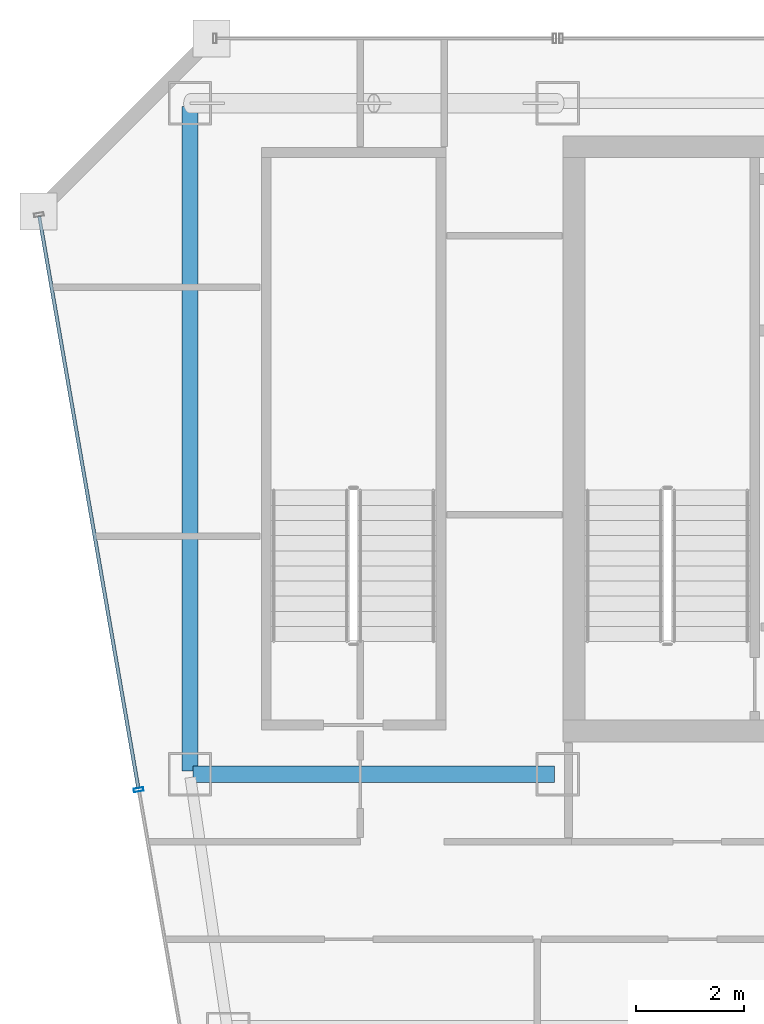
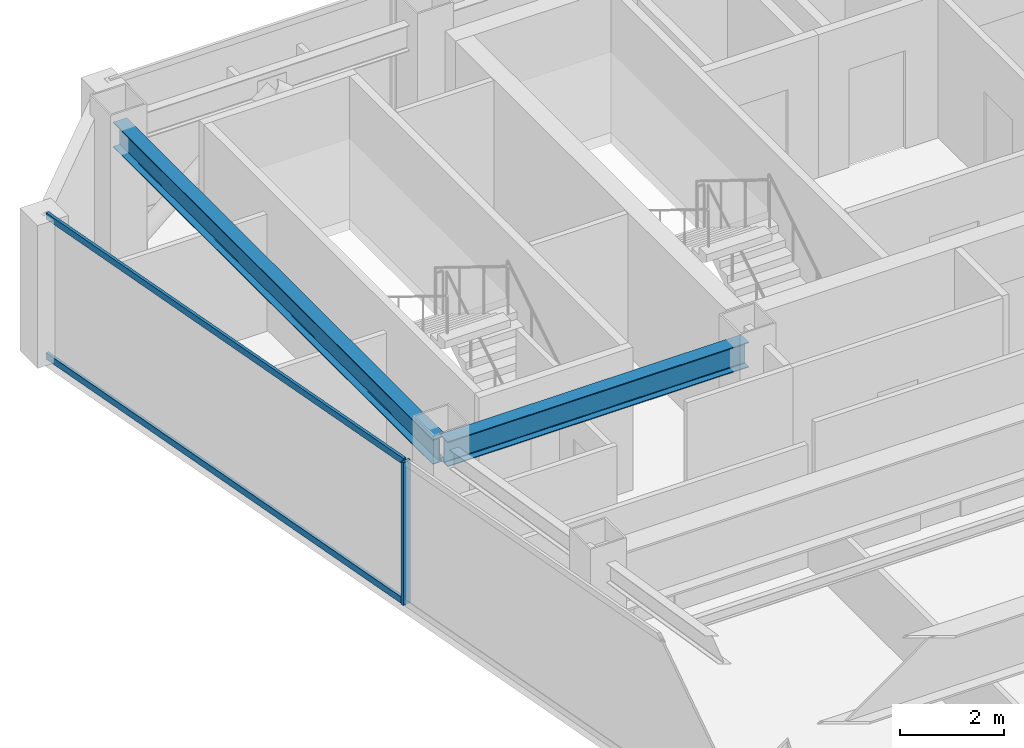
# One storey, part 10 of 35: 3 members, 2 beams, 1 element without a shape of its own.
"""IFC4 building model written with IfcOpenShell, lengths in metres."""

from ifc_helpers import new_model, si_unit, direction, frame, origin, origin_2d, place, context, subcontext, project, spatial, hollow_rectangle, i_section, extrude, material, material_profile, profile_set, type_object, element, aggregate, save


model = new_model("IFC4")

# Units and contexts
model_context = context("Model", 3, precision=1e-05, world=origin(), true_north=direction((0.0, 1.0)))
body_context = subcontext(model_context, "Body", "Model", "MODEL_VIEW")
ifc_project = project(units=[si_unit("LENGTHUNIT", "METRE"), si_unit("AREAUNIT", "SQUARE_METRE"), si_unit("VOLUMEUNIT", "CUBIC_METRE"), si_unit("PLANEANGLEUNIT", "RADIAN"), si_unit("MASSUNIT", "GRAM", prefix="KILO")], contexts=[model_context])

# Site, building, storey
site_placement = place(None, origin())
site = spatial("IfcSite", under=ifc_project, at=site_placement, CompositionType="ELEMENT")
building_placement = place(site_placement, origin())
building = spatial("IfcBuilding", under=site, at=building_placement, Name="Saevonmaru Cultural Tower", CompositionType="ELEMENT")
storey_placement = place(building_placement, frame((0.0, 0.0, 249.60009765625)))
storey = spatial("IfcBuildingStorey", under=building, at=storey_placement, Name="L58", CompositionType="ELEMENT", Elevation=249.60009765625)

# Beams
ifc_material_1 = material(Name="Steel SM355", Category="steel")
ifc_material_profile_1 = material_profile(ifc_material_1, i_section(OverallWidth=0.300048828125, OverallDepth=0.587890625, WebThickness=0.011962890625, FlangeThickness=0.02001953125, FilletRadius=0.02392578125, at=origin_2d()), Name="H-588x300x12x20")
ifc_profile_set_1 = profile_set([ifc_material_profile_1], Name="Steel SM355")
beam_type = type_object("IfcBeamType", Name="BM-G-H588", PredefinedType="BEAM", material=ifc_profile_set_1)
beam_1_placement = place(storey_placement, frame((6.860107421875, 42.39990234375, 3.055908203125), z_axis=(1.0, 0.0, 0.0), x_axis=(0.0, 1.0, 0.0)))
element("IfcBeam", 1, at=beam_1_placement, inside=storey, type_object=beam_type, Name="L58 Core South Girder 1", PredefinedType="BEAM", context=body_context, shape_type="SweptSolid", body=[
    extrude(i_section(OverallWidth=0.300048828125, OverallDepth=0.587890625, WebThickness=0.011962890625, FlangeThickness=0.02001953125, FilletRadius=0.02392578125, at=origin_2d()), origin(), (0.0, 0.0, 1.0), 6.679931640625),
])
beam_2_placement = place(storey_placement, frame((6.800048828125, 54.739990234375, 3.055908203125), z_axis=(0.0, -1.0, 0.0), x_axis=(1.0, 0.0, 0.0)))
element("IfcBeam", 2, at=beam_2_placement, inside=storey, type_object=beam_type, Name="L58 Spine Transverse Girder W", PredefinedType="BEAM", context=body_context, shape_type="SweptSolid", body=[
    extrude(i_section(OverallWidth=0.300048828125, OverallDepth=0.587890625, WebThickness=0.011962890625, FlangeThickness=0.02001953125, FilletRadius=0.02392578125, at=origin_2d()), origin(), (0.0, 0.0, 1.0), 12.280029296875),
])

# Curtain wall, members
ifc_material_2 = material(Name="Satin Bronze Anodised Aluminium", Category="aluminium")
curtain_wall_type = type_object("IfcCurtainWallType", Name="CW-TYP-B", PredefinedType="NOTDEFINED", material=ifc_material_2)
curtain_wall_placement = place(storey_placement, origin())
curtain_wall = element("IfcCurtainWall", 3, at=curtain_wall_placement, inside=storey, type_object=curtain_wall_type, Name="L58 Unitised Curtain Wall E12", PredefinedType="NOTDEFINED")
ifc_material_profile_2 = material_profile(ifc_material_2, hollow_rectangle(XDim=0.06494140625, YDim=0.179931640625, WallThickness=0.00390625, at=origin_2d()), Name="ALU-MULL-180x65x4")
ifc_profile_set_2 = profile_set([ifc_material_profile_2], Name="Satin Bronze Anodised Aluminium")
member_type_1 = type_object("IfcMemberType", Name="ML-CW-180x65", PredefinedType="MULLION", material=ifc_profile_set_2)
member_1_placement = place(storey_placement, frame((5.852294921875, 42.113525390625, 0.0), z_axis=(0.0, 0.0, 1.0), x_axis=(0.170790369887, -0.985307388359, 0.0)))
member_1 = element("IfcMember", 4, at=member_1_placement, type_object=member_type_1, Name="CW-TW-L58-E12 mullion 2", PredefinedType="MULLION", context=body_context, shape_type="SweptSolid", body=[
    extrude(hollow_rectangle(XDim=0.06494140625, YDim=0.179931640625, WallThickness=0.00390625, at=origin_2d()), origin(), (0.0, 0.0, 1.0), 3.349853515625),
])
ifc_material_profile_3 = material_profile(ifc_material_2, hollow_rectangle(XDim=0.06494140625, YDim=0.14990234375, WallThickness=0.00390625, at=origin_2d()), Name="ALU-TRAN-150x65x4")
ifc_profile_set_3 = profile_set([ifc_material_profile_3], Name="Satin Bronze Anodised Aluminium")
member_type_2 = type_object("IfcMemberType", Name="TR-CW-150x65", PredefinedType="USERDEFINED", material=ifc_profile_set_3)
member_2_placement = place(storey_placement, frame((4.015869140625, 52.708984375, 0.032470703125), z_axis=(0.170773163608, -0.985310370691, 0.0), x_axis=(0.985310370691, 0.170773163608, 0.0)))
member_2 = element("IfcMember", 5, at=member_2_placement, type_object=member_type_2, Name="CW-TW-L58-E12 transom 1.1", ObjectType="TRANSOM", PredefinedType="USERDEFINED", context=body_context, shape_type="SweptSolid", body=[
    extrude(hollow_rectangle(XDim=0.06494140625, YDim=0.14990234375, WallThickness=0.00390625, at=origin_2d()), origin(), (0.0, 0.0, 1.0), 10.720703125),
])
member_3_placement = place(storey_placement, frame((4.015869140625, 52.708984375, 3.3173828125), z_axis=(0.170773163608, -0.985310370691, 0.0), x_axis=(0.985310370691, 0.170773163608, 0.0)))
member_3 = element("IfcMember", 6, at=member_3_placement, type_object=member_type_2, Name="CW-TW-L58-E12 transom 1.2", ObjectType="TRANSOM", PredefinedType="USERDEFINED", context=body_context, shape_type="SweptSolid", body=[
    extrude(hollow_rectangle(XDim=0.06494140625, YDim=0.14990234375, WallThickness=0.00390625, at=origin_2d()), origin(), (0.0, 0.0, 1.0), 10.720703125),
])
aggregate(curtain_wall, [member_1, member_2, member_3])

save(model, "model.ifc")
